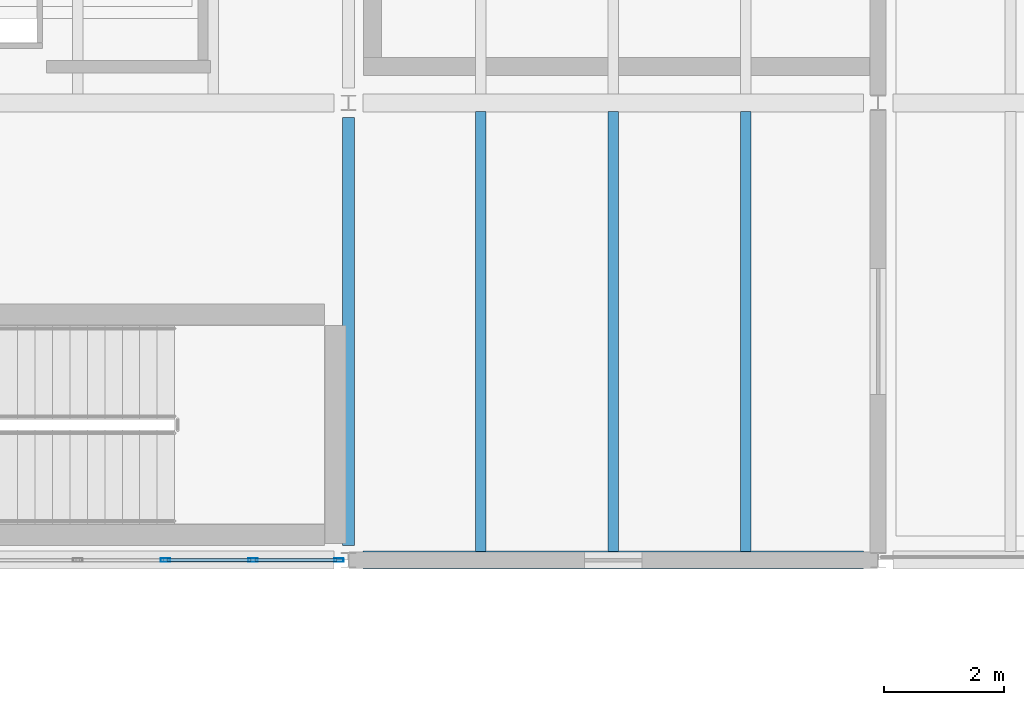
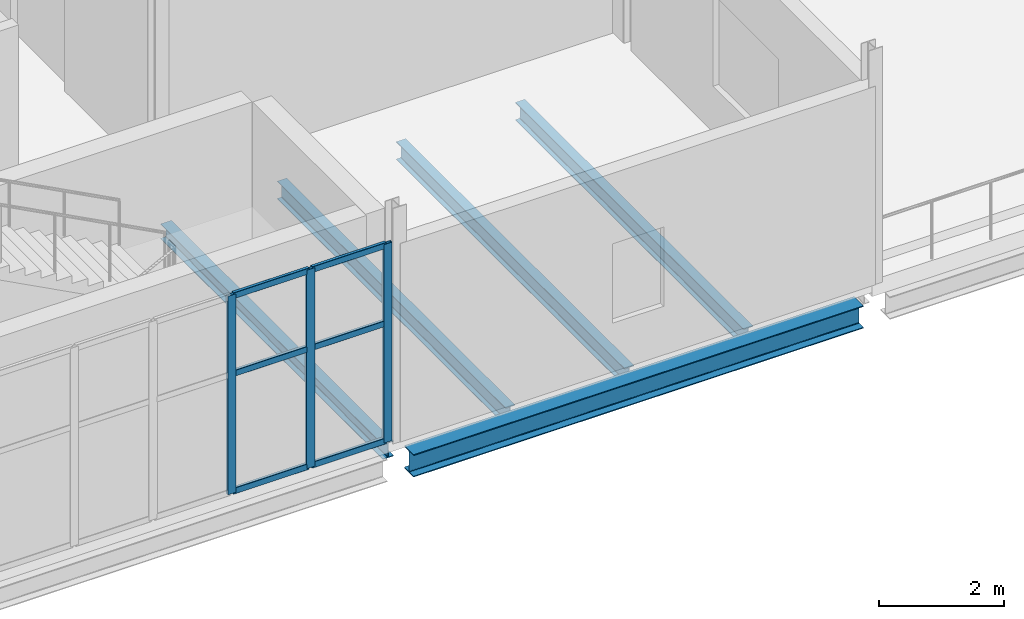
# One storey, part 21 of 37: 9 members, 5 beams, 1 element without a shape of its own.
"""IFC4 building model written with IfcOpenShell, lengths in metres."""

from ifc_helpers import new_model, si_unit, direction, frame, origin, origin_2d, place, context, subcontext, project, spatial, hollow_rectangle, i_section, extrude, material, material_profile, profile_set, type_object, element, aggregate, save


model = new_model("IFC4")

# Units and contexts
model_context = context("Model", 3, precision=1e-05, world=origin(), true_north=direction((0.0, 1.0)))
body_context = subcontext(model_context, "Body", "Model", "MODEL_VIEW")
ifc_project = project(units=[si_unit("LENGTHUNIT", "METRE"), si_unit("AREAUNIT", "SQUARE_METRE"), si_unit("VOLUMEUNIT", "CUBIC_METRE"), si_unit("PLANEANGLEUNIT", "RADIAN"), si_unit("MASSUNIT", "GRAM", prefix="KILO")], contexts=[model_context])

# Site, building, storey
site_placement = place(None, origin())
site = spatial("IfcSite", under=ifc_project, at=site_placement, CompositionType="ELEMENT")
building_placement = place(site_placement, origin())
building = spatial("IfcBuilding", under=site, at=building_placement, Name="Shengluoqiao Park Theatre", CompositionType="ELEMENT")
storey_placement = place(building_placement, frame((0.0, 0.0, 19.199951171875)))
storey = spatial("IfcBuildingStorey", under=building, at=storey_placement, Name="L04", CompositionType="ELEMENT", Elevation=19.199951171875)

# Curtain wall, members
ifc_material_1 = material(Name="Aluminium 6063-T6", Category="aluminium")
curtain_wall_type = type_object("IfcCurtainWallType", Name="ENV-CW-CLERE", PredefinedType="NOTDEFINED", material=ifc_material_1)
curtain_wall_placement = place(storey_placement, origin())
curtain_wall = element("IfcCurtainWall", 1, at=curtain_wall_placement, inside=storey, type_object=curtain_wall_type, Name="L04 Curtain Wall CWX-L04-0201", PredefinedType="NOTDEFINED")
ifc_material_profile_1 = material_profile(ifc_material_1, hollow_rectangle(XDim=0.06005859375, YDim=0.159912109375, WallThickness=0.00390625, InnerFilletRadius=0.00390625, OuterFilletRadius=0.008056640625, at=origin_2d()), Name="ALU MULLION 160x60x4")
ifc_profile_set_1 = profile_set([ifc_material_profile_1], Name="Aluminium 6063-T6")
member_type_1 = type_object("IfcMemberType", Name="ENV-MUL-160", PredefinedType="MULLION", material=ifc_profile_set_1)
member_1_placement = place(storey_placement, frame((145.356201171875, 84.0, 0.0), z_axis=(0.0, 0.0, 1.0), x_axis=(0.0, 1.0, 0.0)))
member_1 = element("IfcMember", 2, at=member_1_placement, type_object=member_type_1, Name="CW-06 mullion 5", PredefinedType="MULLION", context=body_context, shape_type="SweptSolid", body=[
    extrude(hollow_rectangle(XDim=0.06005859375, YDim=0.159912109375, WallThickness=0.00390625, InnerFilletRadius=0.00390625, OuterFilletRadius=0.008056640625, at=origin_2d()), origin(), (0.0, 0.0, 1.0), 3.8779296875),
])
member_2_placement = place(storey_placement, frame((146.812255859375, 84.0, 0.0), z_axis=(0.0, 0.0, 1.0), x_axis=(0.0, 1.0, 0.0)))
member_2 = element("IfcMember", 3, at=member_2_placement, type_object=member_type_1, Name="CW-06 mullion 6", PredefinedType="MULLION", context=body_context, shape_type="SweptSolid", body=[
    extrude(hollow_rectangle(XDim=0.06005859375, YDim=0.159912109375, WallThickness=0.00390625, InnerFilletRadius=0.00390625, OuterFilletRadius=0.008056640625, at=origin_2d()), origin(), (0.0, 0.0, 1.0), 3.8779296875),
])
member_3_placement = place(storey_placement, frame((148.238525390625, 84.0, 0.0), z_axis=(0.0, 0.0, 1.0), x_axis=(0.0, 1.0, 0.0)))
member_3 = element("IfcMember", 4, at=member_3_placement, type_object=member_type_1, Name="CW-06 mullion 7", PredefinedType="MULLION", context=body_context, shape_type="SweptSolid", body=[
    extrude(hollow_rectangle(XDim=0.06005859375, YDim=0.159912109375, WallThickness=0.00390625, InnerFilletRadius=0.00390625, OuterFilletRadius=0.008056640625, at=origin_2d()), origin(), (0.0, 0.0, 1.0), 3.8779296875),
])
ifc_material_profile_2 = material_profile(ifc_material_1, hollow_rectangle(XDim=0.06005859375, YDim=0.1201171875, WallThickness=0.00390625, InnerFilletRadius=0.00390625, OuterFilletRadius=0.008056640625, at=origin_2d()), Name="ALU TRANSOM 120x60x4")
ifc_profile_set_2 = profile_set([ifc_material_profile_2], Name="Aluminium 6063-T6")
member_type_2 = type_object("IfcMemberType", Name="ENV-TRN-120", PredefinedType="USERDEFINED", material=ifc_profile_set_2)
member_4_placement = place(storey_placement, frame((145.38623046875, 84.0, 0.030029296875), z_axis=(1.0, 0.0, 0.0), x_axis=(0.0, 1.0, 0.0)))
member_4 = element("IfcMember", 5, at=member_4_placement, type_object=member_type_2, Name="CW-06 transom 5.1", ObjectType="TRANSOM", PredefinedType="USERDEFINED", context=body_context, shape_type="SweptSolid", body=[
    extrude(hollow_rectangle(XDim=0.06005859375, YDim=0.1201171875, WallThickness=0.00390625, InnerFilletRadius=0.00390625, OuterFilletRadius=0.008056640625, at=origin_2d()), origin(), (0.0, 0.0, 1.0), 1.39599609375),
])
member_5_placement = place(storey_placement, frame((145.38623046875, 84.0, 2.3271484375), z_axis=(1.0, 0.0, 0.0), x_axis=(0.0, 1.0, 0.0)))
member_5 = element("IfcMember", 6, at=member_5_placement, type_object=member_type_2, Name="CW-06 transom 5.2", ObjectType="TRANSOM", PredefinedType="USERDEFINED", context=body_context, shape_type="SweptSolid", body=[
    extrude(hollow_rectangle(XDim=0.06005859375, YDim=0.1201171875, WallThickness=0.00390625, InnerFilletRadius=0.00390625, OuterFilletRadius=0.008056640625, at=origin_2d()), origin(), (0.0, 0.0, 1.0), 1.39599609375),
])
member_6_placement = place(storey_placement, frame((145.38623046875, 84.0, 3.84814453125), z_axis=(1.0, 0.0, 0.0), x_axis=(0.0, 1.0, 0.0)))
member_6 = element("IfcMember", 7, at=member_6_placement, type_object=member_type_2, Name="CW-06 transom 5.3", ObjectType="TRANSOM", PredefinedType="USERDEFINED", context=body_context, shape_type="SweptSolid", body=[
    extrude(hollow_rectangle(XDim=0.06005859375, YDim=0.1201171875, WallThickness=0.00390625, InnerFilletRadius=0.00390625, OuterFilletRadius=0.008056640625, at=origin_2d()), origin(), (0.0, 0.0, 1.0), 1.39599609375),
])
member_7_placement = place(storey_placement, frame((146.84228515625, 84.0, 0.030029296875), z_axis=(1.0, 0.0, 0.0), x_axis=(0.0, 1.0, 0.0)))
member_7 = element("IfcMember", 8, at=member_7_placement, type_object=member_type_2, Name="CW-06 transom 6.1", ObjectType="TRANSOM", PredefinedType="USERDEFINED", context=body_context, shape_type="SweptSolid", body=[
    extrude(hollow_rectangle(XDim=0.06005859375, YDim=0.1201171875, WallThickness=0.00390625, InnerFilletRadius=0.00390625, OuterFilletRadius=0.008056640625, at=origin_2d()), origin(), (0.0, 0.0, 1.0), 1.3662109375),
])
member_8_placement = place(storey_placement, frame((146.84228515625, 84.0, 2.3271484375), z_axis=(1.0, 0.0, 0.0), x_axis=(0.0, 1.0, 0.0)))
member_8 = element("IfcMember", 9, at=member_8_placement, type_object=member_type_2, Name="CW-06 transom 6.2", ObjectType="TRANSOM", PredefinedType="USERDEFINED", context=body_context, shape_type="SweptSolid", body=[
    extrude(hollow_rectangle(XDim=0.06005859375, YDim=0.1201171875, WallThickness=0.00390625, InnerFilletRadius=0.00390625, OuterFilletRadius=0.008056640625, at=origin_2d()), origin(), (0.0, 0.0, 1.0), 1.3662109375),
])
member_9_placement = place(storey_placement, frame((146.84228515625, 84.0, 3.84814453125), z_axis=(1.0, 0.0, 0.0), x_axis=(0.0, 1.0, 0.0)))
member_9 = element("IfcMember", 10, at=member_9_placement, type_object=member_type_2, Name="CW-06 transom 6.3", ObjectType="TRANSOM", PredefinedType="USERDEFINED", context=body_context, shape_type="SweptSolid", body=[
    extrude(hollow_rectangle(XDim=0.06005859375, YDim=0.1201171875, WallThickness=0.00390625, InnerFilletRadius=0.00390625, OuterFilletRadius=0.008056640625, at=origin_2d()), origin(), (0.0, 0.0, 1.0), 1.3662109375),
])
aggregate(curtain_wall, [member_1, member_2, member_3, member_4, member_5, member_6, member_7, member_8, member_9])

# Beams
ifc_material_2 = material(Name="Steel Q355", Category="steel")
ifc_material_profile_3 = material_profile(ifc_material_2, i_section(OverallWidth=0.199951171875, OverallDepth=0.2939453125, WebThickness=0.008056640625, FlangeThickness=0.011962890625, FilletRadius=0.01611328125, at=origin_2d()), Name="HM 294x200x8x12")
ifc_profile_set_3 = profile_set([ifc_material_profile_3], Name="Steel Q355")
beam_type_1 = type_object("IfcBeamType", Name="STR-BM-G-HM294", PredefinedType="BEAM", material=ifc_profile_set_3)
beam_1_placement = place(storey_placement, frame((148.39990234375, 84.243896484375, -0.386962890625), z_axis=(0.0, 1.0, 0.0), x_axis=(-1.0, 0.0, 0.0)))
element("IfcBeam", 11, at=beam_1_placement, inside=storey, type_object=beam_type_1, Name="L04 Transverse Girder 01591", PredefinedType="BEAM", context=body_context, shape_type="SweptSolid", body=[
    extrude(i_section(OverallWidth=0.199951171875, OverallDepth=0.2939453125, WebThickness=0.008056640625, FlangeThickness=0.011962890625, FilletRadius=0.01611328125, at=origin_2d()), origin(), (0.0, 0.0, 1.0), 7.112060546875),
])
ifc_material_profile_4 = material_profile(ifc_material_2, i_section(OverallWidth=0.300048828125, OverallDepth=0.43994140625, WebThickness=0.010986328125, FlangeThickness=0.01806640625, FilletRadius=0.02001953125, at=origin_2d()), Name="HM 440x300x11x18")
ifc_profile_set_4 = profile_set([ifc_material_profile_4], Name="Steel Q355")
beam_type_2 = type_object("IfcBeamType", Name="STR-BM-G-HM440", PredefinedType="BEAM", material=ifc_profile_set_4)
beam_2_placement = place(storey_placement, frame((148.64404296875, 84.0, -0.5400390625), z_axis=(1.0, 0.0, 0.0), x_axis=(0.0, 1.0, 0.0)))
element("IfcBeam", 12, at=beam_2_placement, inside=storey, type_object=beam_type_2, Name="L04 Primary Girder 01582", PredefinedType="BEAM", context=body_context, shape_type="SweptSolid", body=[
    extrude(i_section(OverallWidth=0.300048828125, OverallDepth=0.43994140625, WebThickness=0.010986328125, FlangeThickness=0.01806640625, FilletRadius=0.02001953125, at=origin_2d()), origin(), (0.0, 0.0, 1.0), 8.31201171875),
])
ifc_material_profile_5 = material_profile(ifc_material_2, i_section(OverallWidth=0.175048828125, OverallDepth=0.35009765625, WebThickness=0.007080078125, FlangeThickness=0.010986328125, FilletRadius=0.013916015625, at=origin_2d()), Name="HN 350x175x7x11")
ifc_profile_set_5 = profile_set([ifc_material_profile_5], Name="Steel Q355")
beam_type_3 = type_object("IfcBeamType", Name="STR-BM-J-HN350", PredefinedType="JOIST", material=ifc_profile_set_5)
for number, where, z_axis, x_axis, name in (
    (13, (150.60009765625, 84.14501953125, -0.4150390625), (0.0, 1.0, 0.0), (-1.0, 0.0, 0.0), "L04 Composite Joist 01608"),
    (14, (152.800048828125, 84.14501953125, -0.4150390625), (0.0, 1.0, 0.0), (-1.0, 0.0, 0.0), "L04 Composite Joist 01609"),
    (15, (155.0, 84.14501953125, -0.4150390625), (0.0, 1.0, 0.0), (-1.0, 0.0, 0.0), "L04 Composite Joist 01610"),
):
    element("IfcBeam", number, at=place(storey_placement, frame(where, z_axis=z_axis, x_axis=x_axis)), inside=storey, type_object=beam_type_3, Name=name, PredefinedType="JOIST", context=body_context, shape_type="SweptSolid", body=[
        extrude(i_section(OverallWidth=0.175048828125, OverallDepth=0.35009765625, WebThickness=0.007080078125, FlangeThickness=0.010986328125, FilletRadius=0.013916015625, at=origin_2d()), origin(), (0.0, 0.0, 1.0), 7.31005859375),
    ])

save(model, "model.ifc")
